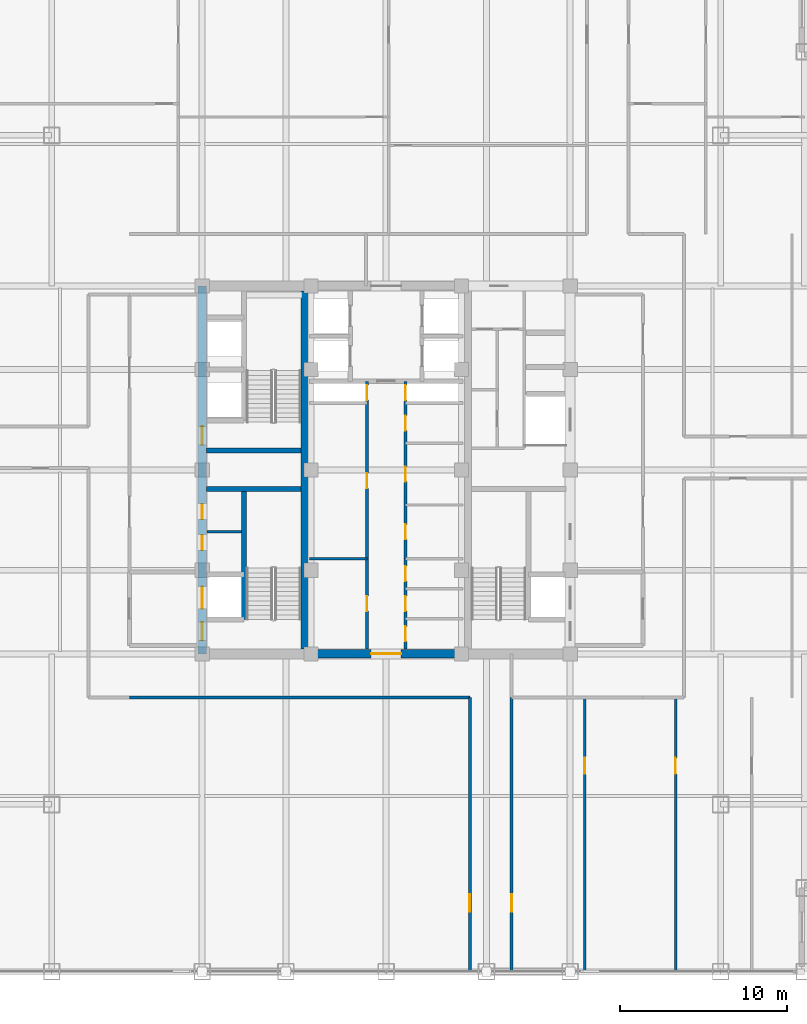
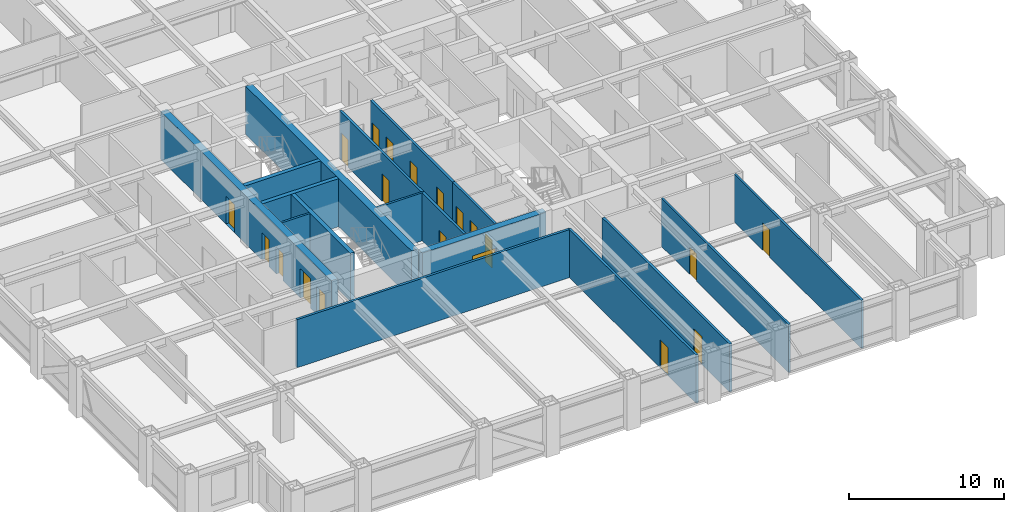
# One storey, part 20 of 25: 20 doors, 17 walls, 20 openings.
"""IFC4 building model written with IfcOpenShell, lengths in metres."""

from ifc_helpers import new_model, si_unit, direction, frame, frame_2d, origin, place, context, subcontext, project, spatial, rectangle, extrude, source, transform, mapped, material, layer, layer_set, type_object, element, fill, save


model = new_model("IFC4")

# Units and contexts
model_context = context("Model", 3, precision=1e-05, world=origin(), true_north=direction((0.0, 1.0)))
body_context = subcontext(model_context, "Body", "Model", "MODEL_VIEW")
ifc_project = project(units=[si_unit("LENGTHUNIT", "METRE"), si_unit("AREAUNIT", "SQUARE_METRE"), si_unit("VOLUMEUNIT", "CUBIC_METRE"), si_unit("PLANEANGLEUNIT", "RADIAN"), si_unit("MASSUNIT", "GRAM", prefix="KILO")], contexts=[model_context])

# Site, building, storey
site_placement = place(None, origin())
site = spatial("IfcSite", under=ifc_project, at=site_placement, CompositionType="ELEMENT")
building_placement = place(site_placement, origin())
building = spatial("IfcBuilding", under=site, at=building_placement, Name="Khorayat Bourse Tower", CompositionType="ELEMENT")
storey_placement = place(building_placement, frame((0.0, 0.0, 231.10009765625)))
storey = spatial("IfcBuildingStorey", under=building, at=storey_placement, Name="L54", CompositionType="ELEMENT", Elevation=231.10009765625)

# Wall
ifc_material_1 = material(Name="Concrete C52/65", Category="concrete")
ifc_layer_1 = layer(ifc_material_1, 0.5)
ifc_layer_set_1 = layer_set([ifc_layer_1], Name="Concrete C52/65")
wall_type_1 = type_object("IfcWallType", Name="WAL-CORE-500", PredefinedType="SHEAR", material=ifc_layer_set_1)
shared_shape_1 = source(origin(), body_context, "Body", "SweptSolid", [
    extrude(rectangle(XDim=21.39990234375, YDim=0.5, at=frame_2d((10.699951171875, 0.0))), origin(), (0.0, 0.0, 1.0), 3.77978515625),
])
wall_1_placement = place(storey_placement, frame((-4.85009765625, -10.699951171875, 0.0), z_axis=(0.0, 0.0, 1.0), x_axis=(0.0, 1.0, 0.0)))
element("IfcWall", 1, at=wall_1_placement, inside=storey, type_object=wall_type_1, Name="L54 Core Shear Wall PIER-W", PredefinedType="SHEAR", context=body_context, shape_type="MappedRepresentation", body=[
    mapped(shared_shape_1, transform((0.0, 0.0, 0.0), scale=1.0)),
])

# Wall, opening, door
shared_shape_2 = source(origin(), body_context, "Body", "SweptSolid", [
    extrude(rectangle(XDim=9.2001953125, YDim=0.5, at=frame_2d((4.60009765625, 0.0))), origin(), (0.0, 0.0, 1.0), 3.77978515625),
])
wall_2_placement = place(storey_placement, frame((-4.60009765625, -11.0, 0.0), z_axis=(0.0, 0.0, 1.0), x_axis=(1.0, 0.0, 0.0)))
wall_2 = element("IfcWall", 2, at=wall_2_placement, inside=storey, type_object=wall_type_1, Name="L54 Core Shear Wall CORE-S", PredefinedType="SHEAR", context=body_context, shape_type="MappedRepresentation", body=[
    mapped(shared_shape_2, transform((0.0, 0.0, 0.0), scale=1.0)),
])
shared_shape_3 = source(origin(), body_context, "Body", "SweptSolid", [
    extrude(rectangle(XDim=1.800048828125, YDim=2.25, at=frame_2d((0.89990234375, 1.125))), frame((0.0, 0.260009765625, 0.0), z_axis=(0.0, -1.0, 0.0), x_axis=(1.0, 0.0, 0.0)), (0.0, 0.0, 1.0), 0.52001953125),
])
opening_1_placement = place(wall_2_placement, frame((3.699951171875, 0.0, 0.0)))
opening_1 = element("IfcOpeningElement", 3, at=opening_1_placement, cuts=wall_2, Name="Opening DI-03", PredefinedType="OPENING", context=body_context, shape_type="MappedRepresentation", body=[
    mapped(shared_shape_3, transform((0.0, 0.0, 0.0), scale=1.0)),
])
ifc_material_2 = material(Name="Fire-rated hardwood vision-panel double leaf", Category="wood")
door_type_1 = type_object("IfcDoorType", Name="DR-INT-CORR-1800", OperationType="NOTDEFINED", PredefinedType="DOOR", material=ifc_material_2)
shared_shape_4 = source(origin(), body_context, "Body", "SweptSolid", [
    extrude(rectangle(XDim=1.800048828125, YDim=2.25, at=frame_2d((0.89990234375, 1.125))), frame((0.0, 0.02490234375, 0.0), z_axis=(0.0, -1.0, 0.0), x_axis=(1.0, 0.0, 0.0)), (0.0, 0.0, 1.0), 0.050048828125),
])
door_1_placement = place(opening_1_placement, origin())
door_1 = element("IfcDoor", 4, at=door_1_placement, inside=storey, type_object=door_type_1, Name="L54 Central Core South Passage Door", OperationType="SINGLE_SWING_LEFT", OverallHeight=2.25, OverallWidth=1.800048828125, PredefinedType="DOOR", context=body_context, shape_type="MappedRepresentation", body=[
    mapped(shared_shape_4, transform((0.0, 0.0, 0.0), scale=1.0)),
])
fill(opening_1, door_1)

# Wall, openings, doors
shared_shape_5 = source(origin(), body_context, "Body", "SweptSolid", [
    extrude(rectangle(XDim=22.0, YDim=0.5, at=frame_2d((11.0, 0.0))), origin(), (0.0, 0.0, 1.0), 3.77978515625),
])
wall_3_placement = place(storey_placement, frame((-11.0, -11.0, 0.0), z_axis=(0.0, 0.0, 1.0), x_axis=(0.0, 1.0, 0.0)))
wall_3 = element("IfcWall", 5, at=wall_3_placement, inside=storey, type_object=wall_type_1, Name="L54 Core Shear Wall CORE-W", PredefinedType="SHEAR", context=body_context, shape_type="MappedRepresentation", body=[
    mapped(shared_shape_5, transform((0.0, 0.0, 0.0), scale=1.0)),
])
shared_shape_6 = source(origin(), body_context, "Body", "SweptSolid", [
    extrude(rectangle(XDim=1.10009765625, YDim=2.199951171875, at=frame_2d((0.550048828125, 1.10009765625))), frame((0.0, 0.260009765625, 0.0), z_axis=(0.0, -1.0, 0.0), x_axis=(1.0, 0.0, 0.0)), (0.0, 0.0, 1.0), 0.52001953125),
])
opening_2_placement = place(wall_3_placement, frame((0.800048828125, 0.0, 0.0)))
opening_2 = element("IfcOpeningElement", 6, at=opening_2_placement, cuts=wall_3, Name="Opening DI-01", PredefinedType="OPENING", context=body_context, shape_type="MappedRepresentation", body=[
    mapped(shared_shape_6, transform((0.0, 0.0, 0.0), scale=1.0)),
])
opening_3_placement = place(wall_3_placement, frame((12.5, 0.0, 0.0)))
opening_3 = element("IfcOpeningElement", 7, at=opening_3_placement, cuts=wall_3, Name="Opening DI-01", PredefinedType="OPENING", context=body_context, shape_type="MappedRepresentation", body=[
    mapped(shared_shape_6, transform((0.0, 0.0, 0.0), scale=1.0)),
])
shared_shape_7 = source(origin(), body_context, "Body", "SweptSolid", [
    extrude(rectangle(XDim=0.89990234375, YDim=2.14990234375, at=frame_2d((0.449951171875, 1.074951171875))), frame((0.0, 0.260009765625, 0.0), z_axis=(0.0, -1.0, 0.0), x_axis=(1.0, 0.0, 0.0)), (0.0, 0.0, 1.0), 0.52001953125),
])
opening_4_placement = place(wall_3_placement, frame((6.199951171875, 0.0, 0.0)))
opening_4 = element("IfcOpeningElement", 8, at=opening_4_placement, cuts=wall_3, Name="Opening DI-06", PredefinedType="OPENING", context=body_context, shape_type="MappedRepresentation", body=[
    mapped(shared_shape_7, transform((0.0, 0.0, 0.0), scale=1.0)),
])
opening_5_placement = place(wall_3_placement, frame((8.050048828125, 0.0, 0.0)))
opening_5 = element("IfcOpeningElement", 9, at=opening_5_placement, cuts=wall_3, Name="Opening DI-06", PredefinedType="OPENING", context=body_context, shape_type="MappedRepresentation", body=[
    mapped(shared_shape_7, transform((0.0, 0.0, 0.0), scale=1.0)),
])
shared_shape_8 = source(origin(), body_context, "Body", "SweptSolid", [
    extrude(rectangle(XDim=1.300048828125, YDim=2.300048828125, at=frame_2d((0.64990234375, 1.14990234375))), frame((0.0, 0.260009765625, 0.0), z_axis=(0.0, -1.0, 0.0), x_axis=(1.0, 0.0, 0.0)), (0.0, 0.0, 1.0), 0.52001953125),
])
opening_6_placement = place(wall_3_placement, frame((2.699951171875, 0.0, 0.0)))
opening_6 = element("IfcOpeningElement", 10, at=opening_6_placement, cuts=wall_3, Name="Opening LD-02", PredefinedType="OPENING", context=body_context, shape_type="MappedRepresentation", body=[
    mapped(shared_shape_8, transform((0.0, 0.0, 0.0), scale=1.0)),
])
ifc_material_3 = material(Name="Fire-rated steel acoustic leaf", Category="steel")
door_type_2 = type_object("IfcDoorType", Name="DR-INT-STAIR-1100", OperationType="NOTDEFINED", PredefinedType="DOOR", material=ifc_material_3)
shared_shape_9 = source(origin(), body_context, "Body", "SweptSolid", [
    extrude(rectangle(XDim=1.10009765625, YDim=2.199951171875, at=frame_2d((0.550048828125, 1.10009765625))), frame((0.0, 0.02490234375, 0.0), z_axis=(0.0, -1.0, 0.0), x_axis=(1.0, 0.0, 0.0)), (0.0, 0.0, 1.0), 0.050048828125),
])
door_2_placement = place(opening_2_placement, origin())
door_2 = element("IfcDoor", 11, at=door_2_placement, inside=storey, type_object=door_type_2, Name="L54 Exit Stair 1 Door", OperationType="SINGLE_SWING_RIGHT", OverallHeight=2.199951171875, OverallWidth=1.10009765625, PredefinedType="DOOR", context=body_context, shape_type="MappedRepresentation", body=[
    mapped(shared_shape_9, transform((0.0, 0.0, 0.0), scale=1.0)),
])
fill(opening_2, door_2)
door_3_placement = place(opening_3_placement, origin())
door_3 = element("IfcDoor", 12, at=door_3_placement, inside=storey, type_object=door_type_2, Name="L54 Exit Stair 2 Door", OperationType="SINGLE_SWING_RIGHT", OverallHeight=2.199951171875, OverallWidth=1.10009765625, PredefinedType="DOOR", context=body_context, shape_type="MappedRepresentation", body=[
    mapped(shared_shape_9, transform((0.0, 0.0, 0.0), scale=1.0)),
])
fill(opening_3, door_3)
ifc_material_4 = material(Name="Moisture-resistant laminate washroom door")
door_type_3 = type_object("IfcDoorType", Name="DR-INT-WC-900", OperationType="NOTDEFINED", PredefinedType="DOOR", material=ifc_material_4)
shared_shape_10 = source(origin(), body_context, "Body", "SweptSolid", [
    extrude(rectangle(XDim=0.89990234375, YDim=2.14990234375, at=frame_2d((0.449951171875, 1.074951171875))), frame((0.0, 0.02490234375, 0.0), z_axis=(0.0, -1.0, 0.0), x_axis=(1.0, 0.0, 0.0)), (0.0, 0.0, 1.0), 0.050048828125),
])
door_4_placement = place(opening_4_placement, origin())
door_4 = element("IfcDoor", 13, at=door_4_placement, inside=storey, type_object=door_type_3, Name="L54 Electrical Plant Room Door", OperationType="SINGLE_SWING_RIGHT", OverallHeight=2.14990234375, OverallWidth=0.89990234375, PredefinedType="DOOR", context=body_context, shape_type="MappedRepresentation", body=[
    mapped(shared_shape_10, transform((0.0, 0.0, 0.0), scale=1.0)),
])
fill(opening_4, door_4)
door_5_placement = place(opening_5_placement, origin())
door_5 = element("IfcDoor", 14, at=door_5_placement, inside=storey, type_object=door_type_3, Name="L54 Cleaner Storage Room Door", OperationType="SINGLE_SWING_LEFT", OverallHeight=2.14990234375, OverallWidth=0.89990234375, PredefinedType="DOOR", context=body_context, shape_type="MappedRepresentation", body=[
    mapped(shared_shape_10, transform((0.0, 0.0, 0.0), scale=1.0)),
])
fill(opening_5, door_5)
ifc_material_5 = material(Name="Fire-rated stainless-steel sliding landing door", Category="steel")
door_type_4 = type_object("IfcDoorType", Name="DR-LIFT-FF-1300", OperationType="NOTDEFINED", PredefinedType="DOOR", material=ifc_material_5)
shared_shape_11 = source(origin(), body_context, "Body", "SweptSolid", [
    extrude(rectangle(XDim=1.300048828125, YDim=2.300048828125, at=frame_2d((0.64990234375, 1.14990234375))), frame((0.0, 0.02490234375, 0.0), z_axis=(0.0, -1.0, 0.0), x_axis=(1.0, 0.0, 0.0)), (0.0, 0.0, 1.0), 0.050048828125),
])
door_6_placement = place(opening_6_placement, origin())
door_6 = element("IfcDoor", 15, at=door_6_placement, inside=storey, type_object=door_type_4, Name="L54 Lift FFL-01 Sliding Landing Door", OperationType="SLIDING_TO_LEFT", OverallHeight=2.300048828125, OverallWidth=1.300048828125, PredefinedType="DOOR", context=body_context, shape_type="MappedRepresentation", body=[
    mapped(shared_shape_11, transform((0.0, 0.0, 0.0), scale=1.0)),
])
fill(opening_6, door_6)

# Walls
ifc_material_6 = material(Name="Concrete C50/60", Category="concrete")
ifc_layer_2 = layer(ifc_material_6, 0.300048828125)
ifc_layer_set_2 = layer_set([ifc_layer_2], Name="Concrete C50/60")
wall_type_2 = type_object("IfcWallType", Name="WAL-SHAFT-300", PredefinedType="SHEAR", material=ifc_layer_set_2)
shared_shape_12 = source(origin(), body_context, "Body", "SweptSolid", [
    extrude(rectangle(XDim=5.64990234375, YDim=0.300048828125, at=frame_2d((2.824951171875, 0.0))), origin(), (0.0, 0.0, 1.0), 3.77978515625),
])
for number, where, z_axis, x_axis, name in (
    (16, (-10.75, -1.14990234375, 0.0), (0.0, 0.0, 1.0), (1.0, 0.0, 0.0), "L54 Core Shear Wall ST1-DIV"),
    (17, (-10.75, 1.14990234375, 0.0), (0.0, 0.0, 1.0), (1.0, 0.0, 0.0), "L54 Core Shear Wall ST2-DIV"),
):
    element("IfcWall", number, at=place(storey_placement, frame(where, z_axis=z_axis, x_axis=x_axis)), inside=storey, type_object=wall_type_2, Name=name, PredefinedType="SHEAR", context=body_context, shape_type="MappedRepresentation", body=[
        mapped(shared_shape_12, transform((0.0, 0.0, 0.0), scale=1.0)),
    ])
shared_shape_13 = source(origin(), body_context, "Body", "SweptSolid", [
    extrude(rectangle(XDim=7.800048828125, YDim=0.300048828125, at=frame_2d((3.89990234375, 0.0))), origin(), (0.0, 0.0, 1.0), 3.77978515625),
])
wall_4_placement = place(storey_placement, frame((-8.5, -8.949951171875, 0.0), z_axis=(0.0, 0.0, 1.0), x_axis=(0.0, 1.0, 0.0)))
element("IfcWall", 18, at=wall_4_placement, inside=storey, type_object=wall_type_2, Name="L54 Partition WAL-L54-WPIER-SP", PredefinedType="SHEAR", context=body_context, shape_type="MappedRepresentation", body=[
    mapped(shared_shape_13, transform((0.0, 0.0, 0.0), scale=1.0)),
])
ifc_material_7 = material(Name="Gypsum plasterboard twin-frame partition")
ifc_layer_3 = layer(ifc_material_7, 0.14990234375)
ifc_layer_set_3 = layer_set([ifc_layer_3], Name="Gypsum plasterboard twin-frame partition")
wall_type_3 = type_object("IfcWallType", Name="WAL-PART-SUITE-150", PredefinedType="PARTITIONING", material=ifc_layer_set_3)
shared_shape_14 = source(origin(), body_context, "Body", "SweptSolid", [
    extrude(rectangle(XDim=2.050048828125, YDim=0.14990234375, at=frame_2d((1.02490234375, 0.0))), origin(), (0.0, 0.0, 1.0), 3.77978515625),
])
wall_5_placement = place(storey_placement, frame((-10.699951171875, -3.699951171875, 0.0), z_axis=(0.0, 0.0, 1.0), x_axis=(1.0, 0.0, 0.0)))
element("IfcWall", 19, at=wall_5_placement, inside=storey, type_object=wall_type_3, Name="L54 Partition WAL-L54-WSRV-D1", PredefinedType="PARTITIONING", context=body_context, shape_type="MappedRepresentation", body=[
    mapped(shared_shape_14, transform((0.0, 0.0, 0.0), scale=1.0)),
])
shared_shape_15 = source(origin(), body_context, "Body", "SweptSolid", [
    extrude(rectangle(XDim=3.4501953125, YDim=0.14990234375, at=frame_2d((1.72509765625, 0.0))), origin(), (0.0, 0.0, 1.0), 3.77978515625),
])
wall_6_placement = place(storey_placement, frame((-4.60009765625, -5.300048828125, 0.0), z_axis=(0.0, 0.0, 1.0), x_axis=(1.0, 0.0, 0.0)))
element("IfcWall", 20, at=wall_6_placement, inside=storey, type_object=wall_type_3, Name="L54 Partition WAL-L54-FB1-NW", PredefinedType="PARTITIONING", context=body_context, shape_type="MappedRepresentation", body=[
    mapped(shared_shape_15, transform((0.0, 0.0, 0.0), scale=1.0)),
])

# Wall, opening, door
ifc_material_8 = material(Name="Gypsum plasterboard acoustic stud wall")
ifc_layer_4 = layer(ifc_material_8, 0.179931640625)
ifc_layer_set_4 = layer_set([ifc_layer_4], Name="Gypsum plasterboard acoustic stud wall")
wall_type_4 = type_object("IfcWallType", Name="WAL-PART-CORR-180", PredefinedType="PARTITIONING", material=ifc_layer_set_4)
shared_shape_16 = source(origin(), body_context, "Body", "SweptSolid", [
    extrude(rectangle(XDim=5.39990234375, YDim=0.179931640625, at=frame_2d((2.699951171875, 0.0))), origin(), (0.0, 0.0, 1.0), 3.77978515625),
])
wall_7_placement = place(storey_placement, frame((-1.14990234375, -10.699951171875, 0.0), z_axis=(0.0, 0.0, 1.0), x_axis=(0.0, 1.0, 0.0)))
wall_7 = element("IfcWall", 21, at=wall_7_placement, inside=storey, type_object=wall_type_4, Name="L54 Partition WAL-L54-FB1W-L", PredefinedType="PARTITIONING", context=body_context, shape_type="MappedRepresentation", body=[
    mapped(shared_shape_16, transform((0.0, 0.0, 0.0), scale=1.0)),
])
shared_shape_17 = source(origin(), body_context, "Body", "SweptSolid", [
    extrude(rectangle(XDim=0.89990234375, YDim=2.14990234375, at=frame_2d((0.449951171875, 1.074951171875))), frame((0.0, 0.099853515625, 0.0), z_axis=(0.0, -1.0, 0.0), x_axis=(1.0, 0.0, 0.0)), (0.0, 0.0, 1.0), 0.199951171875),
])
opening_7_placement = place(wall_7_placement, frame((2.25, 0.0, 0.0)))
opening_7 = element("IfcOpeningElement", 22, at=opening_7_placement, cuts=wall_7, Name="Opening DI-06", PredefinedType="OPENING", context=body_context, shape_type="MappedRepresentation", body=[
    mapped(shared_shape_17, transform((0.0, 0.0, 0.0), scale=1.0)),
])
door_7_placement = place(opening_7_placement, origin())
door_7 = element("IfcDoor", 23, at=door_7_placement, inside=storey, type_object=door_type_3, Name="L54 IT Comms Server Plant Room Door", OperationType="SINGLE_SWING_RIGHT", OverallHeight=2.14990234375, OverallWidth=0.89990234375, PredefinedType="DOOR", context=body_context, shape_type="MappedRepresentation", body=[
    mapped(shared_shape_10, transform((0.0, 0.0, 0.0), scale=1.0)),
])
fill(opening_7, door_7)

# Wall, openings, doors
wall_8_placement = place(storey_placement, frame((1.14990234375, -10.699951171875, 0.0), z_axis=(0.0, 0.0, 1.0), x_axis=(0.0, 1.0, 0.0)))
wall_8 = element("IfcWall", 24, at=wall_8_placement, inside=storey, type_object=wall_type_4, Name="L54 Partition WAL-L54-FB1E-L", PredefinedType="PARTITIONING", context=body_context, shape_type="MappedRepresentation", body=[
    mapped(shared_shape_16, transform((0.0, 0.0, 0.0), scale=1.0)),
])
opening_8_placement = place(wall_8_placement, frame((0.449951171875, 0.0, 0.0)))
opening_8 = element("IfcOpeningElement", 25, at=opening_8_placement, cuts=wall_8, Name="Opening DI-06", PredefinedType="OPENING", context=body_context, shape_type="MappedRepresentation", body=[
    mapped(shared_shape_17, transform((0.0, 0.0, 0.0), scale=1.0)),
])
opening_9_placement = place(wall_8_placement, frame((2.25, 0.0, 0.0)))
opening_9 = element("IfcOpeningElement", 26, at=opening_9_placement, cuts=wall_8, Name="Opening DI-06", PredefinedType="OPENING", context=body_context, shape_type="MappedRepresentation", body=[
    mapped(shared_shape_17, transform((0.0, 0.0, 0.0), scale=1.0)),
])
opening_10_placement = place(wall_8_placement, frame((4.050048828125, 0.0, 0.0)))
opening_10 = element("IfcOpeningElement", 27, at=opening_10_placement, cuts=wall_8, Name="Opening DI-06", PredefinedType="OPENING", context=body_context, shape_type="MappedRepresentation", body=[
    mapped(shared_shape_17, transform((0.0, 0.0, 0.0), scale=1.0)),
])
door_8_placement = place(opening_8_placement, origin())
door_8 = element("IfcDoor", 28, at=door_8_placement, inside=storey, type_object=door_type_3, Name="L54 Stationery Store Door", OperationType="SINGLE_SWING_RIGHT", OverallHeight=2.14990234375, OverallWidth=0.89990234375, PredefinedType="DOOR", context=body_context, shape_type="MappedRepresentation", body=[
    mapped(shared_shape_10, transform((0.0, 0.0, 0.0), scale=1.0)),
])
fill(opening_8, door_8)
door_9_placement = place(opening_9_placement, origin())
door_9 = element("IfcDoor", 29, at=door_9_placement, inside=storey, type_object=door_type_3, Name="L54 Meter Closet Door", OperationType="SINGLE_SWING_LEFT", OverallHeight=2.14990234375, OverallWidth=0.89990234375, PredefinedType="DOOR", context=body_context, shape_type="MappedRepresentation", body=[
    mapped(shared_shape_10, transform((0.0, 0.0, 0.0), scale=1.0)),
])
fill(opening_9, door_9)
door_10_placement = place(opening_10_placement, origin())
door_10 = element("IfcDoor", 30, at=door_10_placement, inside=storey, type_object=door_type_3, Name="L54 Print Room Door", OperationType="SINGLE_SWING_RIGHT", OverallHeight=2.14990234375, OverallWidth=0.89990234375, PredefinedType="DOOR", context=body_context, shape_type="MappedRepresentation", body=[
    mapped(shared_shape_10, transform((0.0, 0.0, 0.0), scale=1.0)),
])
fill(opening_10, door_10)

shared_shape_18 = source(origin(), body_context, "Body", "SweptSolid", [
    extrude(rectangle(XDim=10.60009765625, YDim=0.179931640625, at=frame_2d((5.300048828125, 0.0))), origin(), (0.0, 0.0, 1.0), 3.77978515625),
])
wall_9_placement = place(storey_placement, frame((-1.14990234375, -5.300048828125, 0.0), z_axis=(0.0, 0.0, 1.0), x_axis=(0.0, 1.0, 0.0)))
wall_9 = element("IfcWall", 31, at=wall_9_placement, inside=storey, type_object=wall_type_4, Name="L54 Partition WAL-L54-CMW-L", PredefinedType="PARTITIONING", context=body_context, shape_type="MappedRepresentation", body=[
    mapped(shared_shape_18, transform((0.0, 0.0, 0.0), scale=1.0)),
])
opening_11_placement = place(wall_9_placement, frame((4.199951171875, 0.0, 0.0)))
opening_11 = element("IfcOpeningElement", 32, at=opening_11_placement, cuts=wall_9, Name="Opening DI-06", PredefinedType="OPENING", context=body_context, shape_type="MappedRepresentation", body=[
    mapped(shared_shape_17, transform((0.0, 0.0, 0.0), scale=1.0)),
])
opening_12_placement = place(wall_9_placement, frame((9.47509765625, 0.0, 0.0)))
opening_12 = element("IfcOpeningElement", 33, at=opening_12_placement, cuts=wall_9, Name="Opening DI-06", PredefinedType="OPENING", context=body_context, shape_type="MappedRepresentation", body=[
    mapped(shared_shape_17, transform((0.0, 0.0, 0.0), scale=1.0)),
])
door_11_placement = place(opening_11_placement, origin())
door_11 = element("IfcDoor", 34, at=door_11_placement, inside=storey, type_object=door_type_3, Name="L54 Male Core Washroom Door", OperationType="SINGLE_SWING_RIGHT", OverallHeight=2.14990234375, OverallWidth=0.89990234375, PredefinedType="DOOR", context=body_context, shape_type="MappedRepresentation", body=[
    mapped(shared_shape_10, transform((0.0, 0.0, 0.0), scale=1.0)),
])
fill(opening_11, door_11)
door_12_placement = place(opening_12_placement, origin())
door_12 = element("IfcDoor", 35, at=door_12_placement, inside=storey, type_object=door_type_3, Name="L54 West Core Riser Door", OperationType="SINGLE_SWING_LEFT", OverallHeight=2.14990234375, OverallWidth=0.89990234375, PredefinedType="DOOR", context=body_context, shape_type="MappedRepresentation", body=[
    mapped(shared_shape_10, transform((0.0, 0.0, 0.0), scale=1.0)),
])
fill(opening_12, door_12)

wall_10_placement = place(storey_placement, frame((1.14990234375, -5.300048828125, 0.0), z_axis=(0.0, 0.0, 1.0), x_axis=(0.0, 1.0, 0.0)))
wall_10 = element("IfcWall", 36, at=wall_10_placement, inside=storey, type_object=wall_type_4, Name="L54 Partition WAL-L54-CME-L", PredefinedType="PARTITIONING", context=body_context, shape_type="MappedRepresentation", body=[
    mapped(shared_shape_18, transform((0.0, 0.0, 0.0), scale=1.0)),
])
opening_13_placement = place(wall_10_placement, frame((1.14990234375, 0.0, 0.0)))
opening_13 = element("IfcOpeningElement", 37, at=opening_13_placement, cuts=wall_10, Name="Opening DI-06", PredefinedType="OPENING", context=body_context, shape_type="MappedRepresentation", body=[
    mapped(shared_shape_17, transform((0.0, 0.0, 0.0), scale=1.0)),
])
opening_14_placement = place(wall_10_placement, frame((4.60009765625, 0.0, 0.0)))
opening_14 = element("IfcOpeningElement", 38, at=opening_14_placement, cuts=wall_10, Name="Opening DI-06", PredefinedType="OPENING", context=body_context, shape_type="MappedRepresentation", body=[
    mapped(shared_shape_17, transform((0.0, 0.0, 0.0), scale=1.0)),
])
opening_15_placement = place(wall_10_placement, frame((7.64990234375, 0.0, 0.0)))
opening_15 = element("IfcOpeningElement", 39, at=opening_15_placement, cuts=wall_10, Name="Opening DI-06", PredefinedType="OPENING", context=body_context, shape_type="MappedRepresentation", body=[
    mapped(shared_shape_17, transform((0.0, 0.0, 0.0), scale=1.0)),
])
opening_16_placement = place(wall_10_placement, frame((9.47509765625, 0.0, 0.0)))
opening_16 = element("IfcOpeningElement", 40, at=opening_16_placement, cuts=wall_10, Name="Opening DI-06", PredefinedType="OPENING", context=body_context, shape_type="MappedRepresentation", body=[
    mapped(shared_shape_17, transform((0.0, 0.0, 0.0), scale=1.0)),
])
door_13_placement = place(opening_13_placement, origin())
door_13 = element("IfcDoor", 41, at=door_13_placement, inside=storey, type_object=door_type_3, Name="L54 Female Core Washroom Door", OperationType="SINGLE_SWING_RIGHT", OverallHeight=2.14990234375, OverallWidth=0.89990234375, PredefinedType="DOOR", context=body_context, shape_type="MappedRepresentation", body=[
    mapped(shared_shape_10, transform((0.0, 0.0, 0.0), scale=1.0)),
])
fill(opening_13, door_13)
door_14_placement = place(opening_14_placement, origin())
door_14 = element("IfcDoor", 42, at=door_14_placement, inside=storey, type_object=door_type_3, Name="L54 Cleaners Store Door", OperationType="SINGLE_SWING_LEFT", OverallHeight=2.14990234375, OverallWidth=0.89990234375, PredefinedType="DOOR", context=body_context, shape_type="MappedRepresentation", body=[
    mapped(shared_shape_10, transform((0.0, 0.0, 0.0), scale=1.0)),
])
fill(opening_14, door_14)
door_15_placement = place(opening_15_placement, origin())
door_15 = element("IfcDoor", 43, at=door_15_placement, inside=storey, type_object=door_type_3, Name="L54 Meter and BMS Plant Room Door", OperationType="SINGLE_SWING_RIGHT", OverallHeight=2.14990234375, OverallWidth=0.89990234375, PredefinedType="DOOR", context=body_context, shape_type="MappedRepresentation", body=[
    mapped(shared_shape_10, transform((0.0, 0.0, 0.0), scale=1.0)),
])
fill(opening_15, door_15)
door_16_placement = place(opening_16_placement, origin())
door_16 = element("IfcDoor", 44, at=door_16_placement, inside=storey, type_object=door_type_3, Name="L54 East Core Riser Door", OperationType="SINGLE_SWING_RIGHT", OverallHeight=2.14990234375, OverallWidth=0.89990234375, PredefinedType="DOOR", context=body_context, shape_type="MappedRepresentation", body=[
    mapped(shared_shape_10, transform((0.0, 0.0, 0.0), scale=1.0)),
])
fill(opening_16, door_16)

# Wall, opening, door
shared_shape_19 = source(origin(), body_context, "Body", "SweptSolid", [
    extrude(rectangle(XDim=16.39990234375, YDim=0.14990234375, at=frame_2d((8.199951171875, 0.0))), origin(), (0.0, 0.0, 1.0), 3.77978515625),
])
wall_11_placement = place(storey_placement, frame((11.875, -30.0, 0.0), z_axis=(0.0, 0.0, 1.0), x_axis=(0.0, 1.0, 0.0)))
wall_11 = element("IfcWall", 45, at=wall_11_placement, inside=storey, type_object=wall_type_3, Name="L54 Partition WAL-L54-QSEDV-1", PredefinedType="PARTITIONING", context=body_context, shape_type="MappedRepresentation", body=[
    mapped(shared_shape_19, transform((0.0, 0.0, 0.0), scale=1.0)),
])
shared_shape_20 = source(origin(), body_context, "Body", "SweptSolid", [
    extrude(rectangle(XDim=0.949951171875, YDim=2.14990234375, at=frame_2d((0.47509765625, 1.074951171875))), frame((0.0, 0.0849609375, 0.0), z_axis=(0.0, -1.0, 0.0), x_axis=(1.0, 0.0, 0.0)), (0.0, 0.0, 1.0), 0.169921875),
])
opening_17_placement = place(wall_11_placement, frame((11.824951171875, 0.0, 0.0)))
opening_17 = element("IfcOpeningElement", 46, at=opening_17_placement, cuts=wall_11, Name="Opening DI-05", PredefinedType="OPENING", context=body_context, shape_type="MappedRepresentation", body=[
    mapped(shared_shape_20, transform((0.0, 0.0, 0.0), scale=1.0)),
])
ifc_material_9 = material(Name="Acoustic oak veneer office door")
door_type_5 = type_object("IfcDoorType", Name="DR-INT-OFFICE-950", OperationType="NOTDEFINED", PredefinedType="DOOR", material=ifc_material_9)
shared_shape_21 = source(origin(), body_context, "Body", "SweptSolid", [
    extrude(rectangle(XDim=0.949951171875, YDim=2.14990234375, at=frame_2d((0.47509765625, 1.074951171875))), frame((0.0, 0.02490234375, 0.0), z_axis=(0.0, -1.0, 0.0), x_axis=(1.0, 0.0, 0.0)), (0.0, 0.0, 1.0), 0.050048828125),
])
door_17_placement = place(opening_17_placement, origin())
door_17 = element("IfcDoor", 47, at=door_17_placement, inside=storey, type_object=door_type_5, Name="L54 South-East Suite Link 1", OperationType="SINGLE_SWING_RIGHT", OverallHeight=2.14990234375, OverallWidth=0.949951171875, PredefinedType="DOOR", context=body_context, shape_type="MappedRepresentation", body=[
    mapped(shared_shape_21, transform((0.0, 0.0, 0.0), scale=1.0)),
])
fill(opening_17, door_17)

wall_12_placement = place(storey_placement, frame((17.300048828125, -30.0, 0.0), z_axis=(0.0, 0.0, 1.0), x_axis=(0.0, 1.0, 0.0)))
wall_12 = element("IfcWall", 48, at=wall_12_placement, inside=storey, type_object=wall_type_3, Name="L54 Partition WAL-L54-QSEDV-2", PredefinedType="PARTITIONING", context=body_context, shape_type="MappedRepresentation", body=[
    mapped(shared_shape_19, transform((0.0, 0.0, 0.0), scale=1.0)),
])
opening_18_placement = place(wall_12_placement, frame((11.824951171875, 0.0, 0.0)))
opening_18 = element("IfcOpeningElement", 49, at=opening_18_placement, cuts=wall_12, Name="Opening DI-05", PredefinedType="OPENING", context=body_context, shape_type="MappedRepresentation", body=[
    mapped(shared_shape_20, transform((0.0, 0.0, 0.0), scale=1.0)),
])
door_18_placement = place(opening_18_placement, origin())
door_18 = element("IfcDoor", 50, at=door_18_placement, inside=storey, type_object=door_type_5, Name="L54 South-East Suite Link 2", OperationType="SINGLE_SWING_LEFT", OverallHeight=2.14990234375, OverallWidth=0.949951171875, PredefinedType="DOOR", context=body_context, shape_type="MappedRepresentation", body=[
    mapped(shared_shape_21, transform((0.0, 0.0, 0.0), scale=1.0)),
])
fill(opening_18, door_18)

shared_shape_22 = source(origin(), body_context, "Body", "SweptSolid", [
    extrude(rectangle(XDim=16.39990234375, YDim=0.179931640625, at=frame_2d((8.199951171875, 0.0))), origin(), (0.0, 0.0, 1.0), 3.77978515625),
])
wall_13_placement = place(storey_placement, frame((5.0, -30.0, 0.0), z_axis=(0.0, 0.0, 1.0), x_axis=(0.0, 1.0, 0.0)))
wall_13 = element("IfcWall", 51, at=wall_13_placement, inside=storey, type_object=wall_type_4, Name="L54 Partition WAL-L54-QSW-SPK", PredefinedType="PARTITIONING", context=body_context, shape_type="MappedRepresentation", body=[
    mapped(shared_shape_22, transform((0.0, 0.0, 0.0), scale=1.0)),
])
shared_shape_23 = source(origin(), body_context, "Body", "SweptSolid", [
    extrude(rectangle(XDim=1.050048828125, YDim=2.199951171875, at=frame_2d((0.52490234375, 1.10009765625))), frame((0.0, 0.099853515625, 0.0), z_axis=(0.0, -1.0, 0.0), x_axis=(1.0, 0.0, 0.0)), (0.0, 0.0, 1.0), 0.199951171875),
])
opening_19_placement = place(wall_13_placement, frame((3.574951171875, 0.0, 0.0)))
opening_19 = element("IfcOpeningElement", 52, at=opening_19_placement, cuts=wall_13, Name="Opening DI-04", PredefinedType="OPENING", context=body_context, shape_type="MappedRepresentation", body=[
    mapped(shared_shape_23, transform((0.0, 0.0, 0.0), scale=1.0)),
])
ifc_material_10 = material(Name="Fire-rated oak veneer suite entrance door")
door_type_6 = type_object("IfcDoorType", Name="DR-INT-SUITE-1050", OperationType="NOTDEFINED", PredefinedType="DOOR", material=ifc_material_10)
shared_shape_24 = source(origin(), body_context, "Body", "SweptSolid", [
    extrude(rectangle(XDim=1.050048828125, YDim=2.199951171875, at=frame_2d((0.52490234375, 1.10009765625))), frame((0.0, 0.02490234375, 0.0), z_axis=(0.0, -1.0, 0.0), x_axis=(1.0, 0.0, 0.0)), (0.0, 0.0, 1.0), 0.050048828125),
])
door_19_placement = place(opening_19_placement, origin())
door_19 = element("IfcDoor", 53, at=door_19_placement, inside=storey, type_object=door_type_6, Name="L54 South-West Radial Spoke Entry", OperationType="SINGLE_SWING_LEFT", OverallHeight=2.199951171875, OverallWidth=1.050048828125, PredefinedType="DOOR", context=body_context, shape_type="MappedRepresentation", body=[
    mapped(shared_shape_24, transform((0.0, 0.0, 0.0), scale=1.0)),
])
fill(opening_19, door_19)

wall_14_placement = place(storey_placement, frame((7.5, -30.0, 0.0), z_axis=(0.0, 0.0, 1.0), x_axis=(0.0, 1.0, 0.0)))
wall_14 = element("IfcWall", 54, at=wall_14_placement, inside=storey, type_object=wall_type_4, Name="L54 Partition WAL-L54-QSE-SPK", PredefinedType="PARTITIONING", context=body_context, shape_type="MappedRepresentation", body=[
    mapped(shared_shape_22, transform((0.0, 0.0, 0.0), scale=1.0)),
])
opening_20_placement = place(wall_14_placement, frame((3.574951171875, 0.0, 0.0)))
opening_20 = element("IfcOpeningElement", 55, at=opening_20_placement, cuts=wall_14, Name="Opening DI-04", PredefinedType="OPENING", context=body_context, shape_type="MappedRepresentation", body=[
    mapped(shared_shape_23, transform((0.0, 0.0, 0.0), scale=1.0)),
])
door_20_placement = place(opening_20_placement, origin())
door_20 = element("IfcDoor", 56, at=door_20_placement, inside=storey, type_object=door_type_6, Name="L54 South-East Radial Spoke Entry", OperationType="SINGLE_SWING_LEFT", OverallHeight=2.199951171875, OverallWidth=1.050048828125, PredefinedType="DOOR", context=body_context, shape_type="MappedRepresentation", body=[
    mapped(shared_shape_24, transform((0.0, 0.0, 0.0), scale=1.0)),
])
fill(opening_20, door_20)

# Wall
shared_shape_25 = source(origin(), body_context, "Body", "SweptSolid", [
    extrude(rectangle(XDim=20.35009765625, YDim=0.179931640625, at=frame_2d((10.175048828125, 0.0))), origin(), (0.0, 0.0, 1.0), 3.77978515625),
])
wall_15_placement = place(storey_placement, frame((-15.35009765625, -13.60009765625, 0.0), z_axis=(0.0, 0.0, 1.0), x_axis=(1.0, 0.0, 0.0)))
element("IfcWall", 57, at=wall_15_placement, inside=storey, type_object=wall_type_4, Name="L54 Partition WAL-L54-QSW-HC", PredefinedType="PARTITIONING", context=body_context, shape_type="MappedRepresentation", body=[
    mapped(shared_shape_25, transform((0.0, 0.0, 0.0), scale=1.0)),
])

save(model, "model.ifc")
